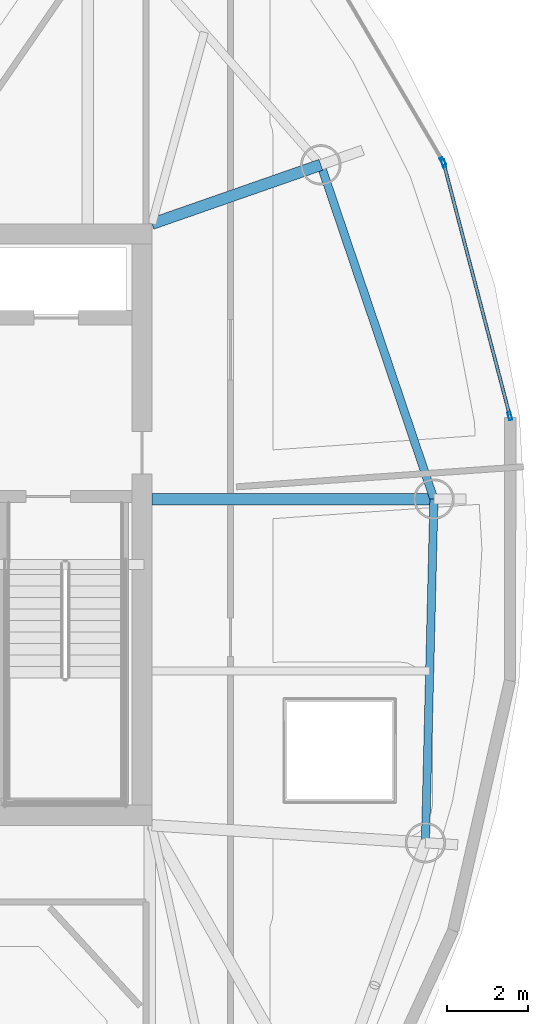
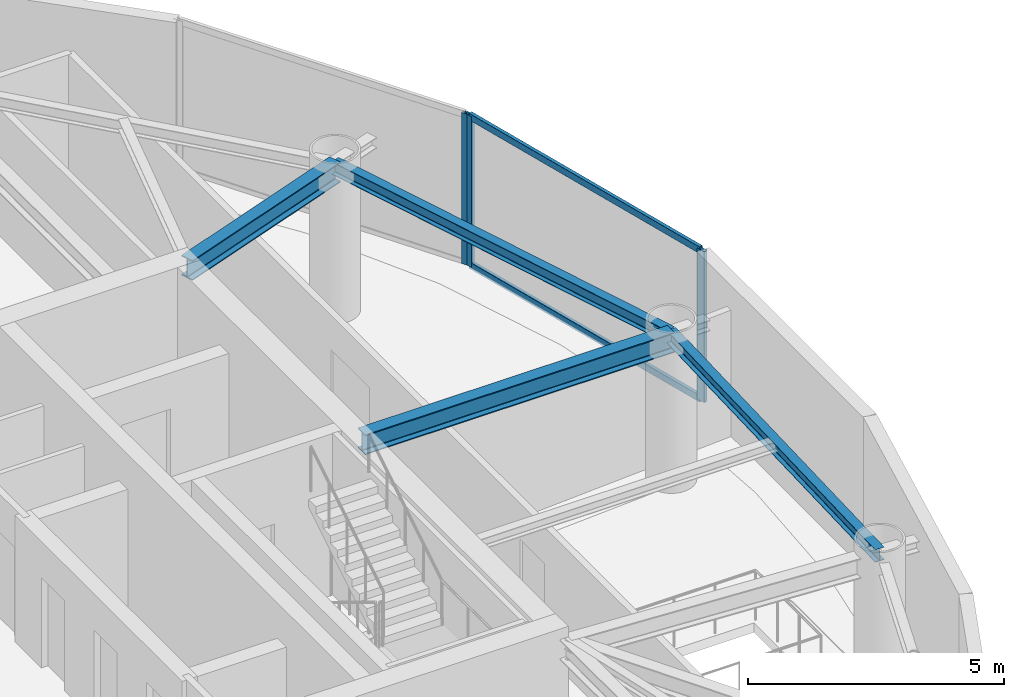
# One storey, part 8 of 20: 5 members, 4 beams, 2 elements without a shape of their own.
"""IFC4 building model written with IfcOpenShell, lengths in metres."""

from ifc_helpers import new_model, si_unit, direction, frame, origin, origin_2d, place, context, subcontext, project, spatial, hollow_rectangle, i_section, extrude, material, layer, layer_set, material_profile, profile_set, type_object, element, aggregate, save


model = new_model("IFC4")

# Units and contexts
model_context = context("Model", 3, precision=1e-05, world=origin(), true_north=direction((0.0, 1.0)))
body_context = subcontext(model_context, "Body", "Model", "MODEL_VIEW")
ifc_project = project(units=[si_unit("LENGTHUNIT", "METRE"), si_unit("AREAUNIT", "SQUARE_METRE"), si_unit("VOLUMEUNIT", "CUBIC_METRE"), si_unit("PLANEANGLEUNIT", "RADIAN"), si_unit("MASSUNIT", "GRAM", prefix="KILO")], contexts=[model_context])

# Site, building, storey
site_placement = place(None, origin())
site = spatial("IfcSite", under=ifc_project, at=site_placement, CompositionType="ELEMENT")
building_placement = place(site_placement, origin())
building = spatial("IfcBuilding", under=site, at=building_placement, Name="Bramvorn Convention Spire", CompositionType="ELEMENT")
storey_placement = place(building_placement, frame((0.0, 0.0, 303.64990234375)))
storey = spatial("IfcBuildingStorey", under=building, at=storey_placement, Name="L77", CompositionType="ELEMENT", Elevation=303.64990234375)

# Beams
ifc_material_1 = material(Name="Steel CSA G40.21 Grade 350 (350W)", Category="steel")
ifc_material_profile_1 = material_profile(ifc_material_1, i_section(OverallWidth=0.202880859375, OverallDepth=0.302978515625, WebThickness=0.007568359375, FlangeThickness=0.01318359375, FilletRadius=0.013916015625, at=origin_2d()))
ifc_profile_set_1 = profile_set([ifc_material_profile_1], Name="Steel CSA G40.21 Grade 350 (350W) - W310X60")
beam_type_1 = type_object("IfcBeamType", Name="BM-W310X60", PredefinedType="JOIST", material=ifc_profile_set_1)
beam_1_placement = place(storey_placement, frame((56.023681640625, 18.116455078125, 3.448486328125), z_axis=(0.024770853371, 0.999693155335, 0.0), x_axis=(-0.999693155335, 0.024770853371, 0.0)))
element("IfcBeam", 1, at=beam_1_placement, inside=storey, type_object=beam_type_1, Name="L77 mega-column ring beam 03", PredefinedType="JOIST", context=body_context, shape_type="SweptSolid", body=[
    extrude(i_section(OverallWidth=0.202880859375, OverallDepth=0.302978515625, WebThickness=0.007568359375, FlangeThickness=0.01318359375, FilletRadius=0.013916015625, at=origin_2d()), origin(), (0.0, 0.0, 1.0), 8.515625),
])
beam_2_placement = place(storey_placement, frame((56.234619140625, 26.62939453125, 3.448486328125), z_axis=(-0.320531023763, 0.947238018032, 0.0), x_axis=(-0.947238018032, -0.320531023763, 0.0)))
element("IfcBeam", 2, at=beam_2_placement, inside=storey, type_object=beam_type_1, Name="L77 mega-column ring beam 04", PredefinedType="JOIST", context=body_context, shape_type="SweptSolid", body=[
    extrude(i_section(OverallWidth=0.202880859375, OverallDepth=0.302978515625, WebThickness=0.007568359375, FlangeThickness=0.01318359375, FilletRadius=0.013916015625, at=origin_2d()), origin(), (0.0, 0.0, 1.0), 8.74169921875),
])
ifc_material_profile_2 = material_profile(ifc_material_1, i_section(OverallWidth=0.283935546875, OverallDepth=0.47607421875, WebThickness=0.014892578125, FlangeThickness=0.02392578125, FilletRadius=0.01806640625, at=origin_2d()))
ifc_profile_set_2 = profile_set([ifc_material_profile_2], Name="Steel CSA G40.21 Grade 350 (350W) - W460X158")
beam_type_2 = type_object("IfcBeamType", Name="BM-W460X158", PredefinedType="SPANDREL", material=ifc_profile_set_2)
beam_3_placement = place(storey_placement, frame((49.25, 26.62939453125, 3.362060546875), z_axis=(1.0, 0.0, 0.0), x_axis=(0.0, 1.0, 0.0)))
element("IfcBeam", 3, at=beam_3_placement, inside=storey, type_object=beam_type_2, Name="L77 radial floor girder MC04", PredefinedType="SPANDREL", context=body_context, shape_type="SweptSolid", body=[
    extrude(i_section(OverallWidth=0.283935546875, OverallDepth=0.47607421875, WebThickness=0.014892578125, FlangeThickness=0.02392578125, FilletRadius=0.01806640625, at=origin_2d()), origin(), (0.0, 0.0, 1.0), 6.984619140625),
])
beam_4_placement = place(storey_placement, frame((49.25, 33.449951171875, 3.362060546875), z_axis=(0.944136391877, 0.329554962843, 0.0), x_axis=(-0.329554962843, 0.944136391877, 0.0)))
element("IfcBeam", 4, at=beam_4_placement, inside=storey, type_object=beam_type_2, Name="L77 radial floor girder MC05", PredefinedType="SPANDREL", context=body_context, shape_type="SweptSolid", body=[
    extrude(i_section(OverallWidth=0.283935546875, OverallDepth=0.47607421875, WebThickness=0.014892578125, FlangeThickness=0.02392578125, FilletRadius=0.01806640625, at=origin_2d()), origin(), (0.0, 0.0, 1.0), 4.43017578125),
])

# Curtain wall, members
ifc_material_2 = material(Name="Anodised Bronze Unitised Curtain Wall", Category="aluminium")
ifc_layer = layer(ifc_material_2, 0.179931640625)
ifc_layer_set = layer_set([ifc_layer], Name="Anodised Bronze Unitised Curtain Wall - CW-OFF-FRIT")
curtain_wall_type = type_object("IfcCurtainWallType", Name="CW-OFF-FRIT", PredefinedType="USERDEFINED", material=ifc_layer_set)
curtain_wall_1_placement = place(storey_placement, origin())
curtain_wall_1 = element("IfcCurtainWall", 5, at=curtain_wall_1_placement, inside=storey, type_object=curtain_wall_type, Name="L77 fritted glass curtain wall 06", ObjectType="UNITISED CURTAIN WALL", PredefinedType="USERDEFINED")
ifc_material_3 = material(Name="Anodised Bronze Aluminium 6063-T6", Category="aluminium")
ifc_material_profile_3 = material_profile(ifc_material_3, hollow_rectangle(XDim=0.080078125, YDim=0.199951171875, WallThickness=0.00390625, InnerFilletRadius=0.0009765625, OuterFilletRadius=0.00390625, at=origin_2d()))
ifc_profile_set_3 = profile_set([ifc_material_profile_3], Name="Anodised Bronze Aluminium 6063-T6 - CWM80X200")
member_type_1 = type_object("IfcMemberType", Name="CW-MUL-180", PredefinedType="MULLION", material=ifc_profile_set_3)
member_1_placement = place(storey_placement, frame((56.478515625, 34.940185546875, 0.0), z_axis=(0.0, 0.0, 1.0), x_axis=(0.967406725556, 0.253227619643, 0.0)))
member_1 = element("IfcMember", 6, at=member_1_placement, type_object=member_type_1, Name="CW3 mullion 1", PredefinedType="MULLION", context=body_context, shape_type="SweptSolid", body=[
    extrude(hollow_rectangle(XDim=0.080078125, YDim=0.199951171875, WallThickness=0.00390625, InnerFilletRadius=0.0009765625, OuterFilletRadius=0.00390625, at=origin_2d()), origin(), (0.0, 0.0, 1.0), 3.60009765625),
])
member_2_placement = place(storey_placement, frame((58.1162109375, 28.68408203125, 0.0), z_axis=(0.0, 0.0, 1.0), x_axis=(0.967406725556, 0.253227619643, 0.0)))
member_2 = element("IfcMember", 7, at=member_2_placement, type_object=member_type_1, Name="CW3 mullion 2", PredefinedType="MULLION", context=body_context, shape_type="SweptSolid", body=[
    extrude(hollow_rectangle(XDim=0.080078125, YDim=0.199951171875, WallThickness=0.00390625, InnerFilletRadius=0.0009765625, OuterFilletRadius=0.00390625, at=origin_2d()), origin(), (0.0, 0.0, 1.0), 3.60009765625),
])

# Curtain wall, member
curtain_wall_2_placement = place(storey_placement, origin())
curtain_wall_2 = element("IfcCurtainWall", 8, at=curtain_wall_2_placement, inside=storey, type_object=curtain_wall_type, Name="L77 fritted glass curtain wall 07", ObjectType="UNITISED CURTAIN WALL", PredefinedType="USERDEFINED")
member_3_placement = place(storey_placement, frame((56.455810546875, 34.9951171875, 0.0), z_axis=(0.0, 0.0, 1.0), x_axis=(0.862240086013, 0.506499786844, 0.0)))
member_3 = element("IfcMember", 9, at=member_3_placement, type_object=member_type_1, Name="CW3 mullion 2", PredefinedType="MULLION", context=body_context, shape_type="SweptSolid", body=[
    extrude(hollow_rectangle(XDim=0.080078125, YDim=0.199951171875, WallThickness=0.00390625, InnerFilletRadius=0.0009765625, OuterFilletRadius=0.00390625, at=origin_2d()), origin(), (0.0, 0.0, 1.0), 3.60009765625),
])
aggregate(curtain_wall_2, [member_3])

# Member
ifc_material_profile_4 = material_profile(ifc_material_3, hollow_rectangle(XDim=0.080078125, YDim=0.159912109375, WallThickness=0.00390625, InnerFilletRadius=0.0009765625, OuterFilletRadius=0.00390625, at=origin_2d()))
ifc_profile_set_4 = profile_set([ifc_material_profile_4], Name="Anodised Bronze Aluminium 6063-T6 - CWT80X160")
member_type_2 = type_object("IfcMemberType", Name="CW-TRN-150", PredefinedType="USERDEFINED", material=ifc_profile_set_4)
member_4_placement = place(storey_placement, frame((56.486083984375, 34.9111328125, 0.030029296875), z_axis=(0.253253259215, -0.967400013798, 0.0), x_axis=(0.967400013798, 0.253253259215, 0.0)))
member_4 = element("IfcMember", 10, at=member_4_placement, type_object=member_type_2, Name="CW3 transom 1.1", ObjectType="TRANSOM", PredefinedType="USERDEFINED", context=body_context, shape_type="SweptSolid", body=[
    extrude(hollow_rectangle(XDim=0.080078125, YDim=0.159912109375, WallThickness=0.00390625, InnerFilletRadius=0.0009765625, OuterFilletRadius=0.00390625, at=origin_2d()), origin(), (0.0, 0.0, 1.0), 6.406982421875),
])

member_5_placement = place(storey_placement, frame((56.486083984375, 34.9111328125, 3.570068359375), z_axis=(0.253253259215, -0.967400013798, 0.0), x_axis=(0.967400013798, 0.253253259215, 0.0)))
member_5 = element("IfcMember", 11, at=member_5_placement, type_object=member_type_2, Name="CW3 transom 1.2", ObjectType="TRANSOM", PredefinedType="USERDEFINED", context=body_context, shape_type="SweptSolid", body=[
    extrude(hollow_rectangle(XDim=0.080078125, YDim=0.159912109375, WallThickness=0.00390625, InnerFilletRadius=0.0009765625, OuterFilletRadius=0.00390625, at=origin_2d()), origin(), (0.0, 0.0, 1.0), 6.406982421875),
])

aggregate(curtain_wall_1, [member_1, member_2, member_4, member_5])

save(model, "model.ifc")
